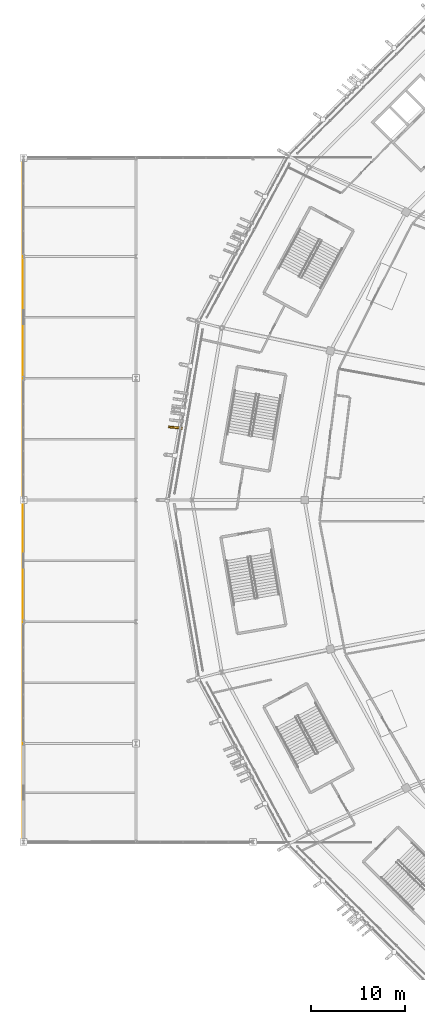
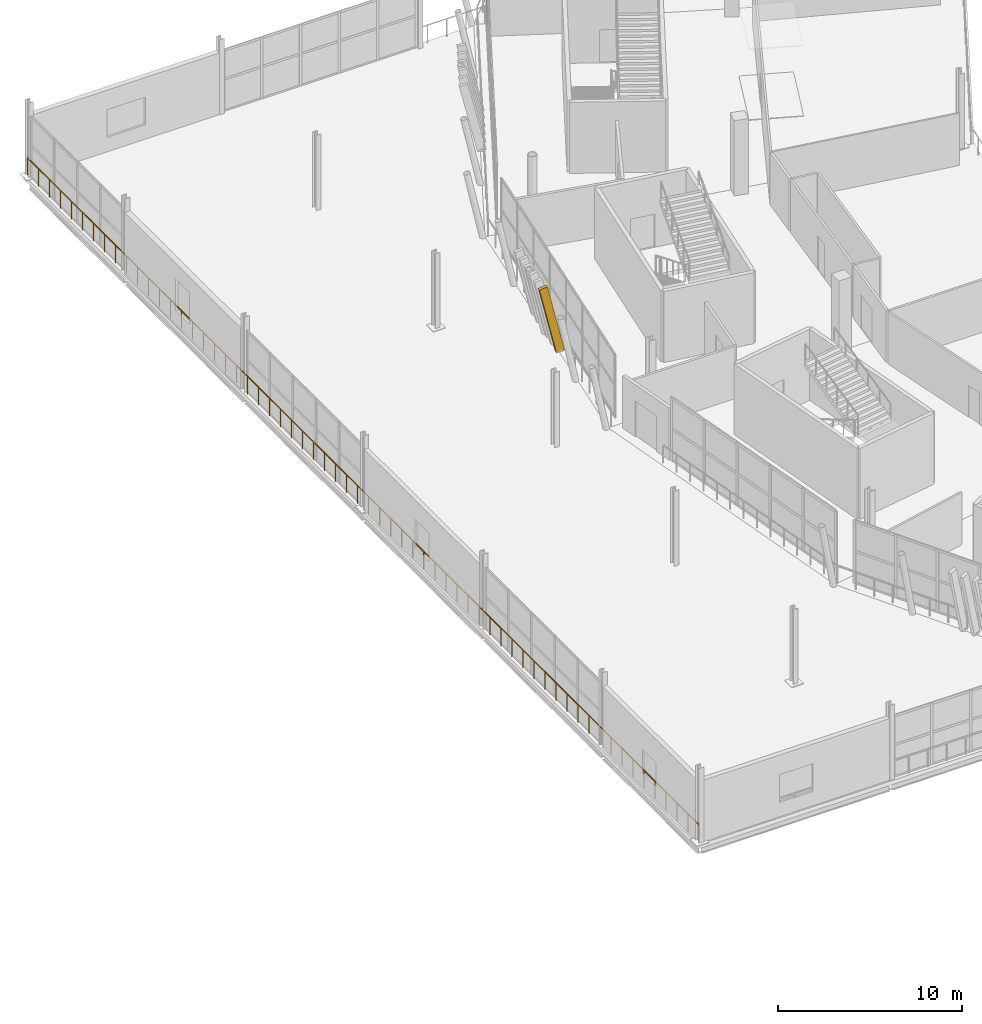
# One storey, part 154 of 179: 1 railing, 1 shading device.
"""IFC4 building model written with IfcOpenShell, lengths in metres."""

from ifc_helpers import new_model, si_unit, direction, frame, origin, origin_2d, place, context, subcontext, project, spatial, rectangle, extrude, material, material_profile, profile_set, type_object, element, save


model = new_model("IFC4")

# Units and contexts
model_context = context("Model", 3, precision=1e-05, world=origin(), true_north=direction((0.0, 1.0)))
body_context = subcontext(model_context, "Body", "Model", "MODEL_VIEW")
ifc_project = project(units=[si_unit("LENGTHUNIT", "METRE"), si_unit("AREAUNIT", "SQUARE_METRE"), si_unit("VOLUMEUNIT", "CUBIC_METRE"), si_unit("PLANEANGLEUNIT", "RADIAN"), si_unit("MASSUNIT", "GRAM", prefix="KILO")], contexts=[model_context])

# Site, building, storey
site_placement = place(None, origin())
site = spatial("IfcSite", under=ifc_project, at=site_placement, CompositionType="ELEMENT")
building_placement = place(site_placement, origin())
building = spatial("IfcBuilding", under=site, at=building_placement, Name="Zlatoyarsky Gate Stadium", CompositionType="ELEMENT")
storey_placement = place(building_placement, frame((0.0, 0.0, 10.60009765625)))
storey = spatial("IfcBuildingStorey", under=building, at=storey_placement, Name="L02", CompositionType="ELEMENT", Elevation=10.60009765625)

# Railing
ifc_material_1 = material(Name="Powder-coated steel tubular guardrail", Category="steel")
railing_type = type_object("IfcRailingType", Name="CONCOURSE SLAB EDGE GUARDRAIL 1200", PredefinedType="GUARDRAIL", material=ifc_material_1)
railing_placement = place(storey_placement, frame((-0.080078125, 43.419921875, 0.0)))
element("IfcRailing", 1, at=railing_placement, inside=storey, type_object=railing_type, Name="V4_WEST L02 W slab edge guardrail", PredefinedType="GUARDRAIL", context=body_context, shape_type="SweptSolid", body=[
    extrude(rectangle(XDim=0.048095703125, YDim=0.048095703125, at=origin_2d()), frame((0.0, 0.0, 1.17578125), z_axis=(0.0, 1.0, 0.0), x_axis=(-1.0, 0.0, 0.0)), (0.0, 0.0, 1.0), 73.16015625),
    extrude(rectangle(XDim=0.0419921875, YDim=0.0419921875, at=origin_2d()), origin(), (0.0, 0.0, 1.0), 1.15185546875),
    extrude(rectangle(XDim=0.0419921875, YDim=0.0419921875, at=origin_2d()), frame((0.0, 1.199462890625, 0.0)), (0.0, 0.0, 1.0), 1.15185546875),
    extrude(rectangle(XDim=0.0419921875, YDim=0.0419921875, at=origin_2d()), frame((0.0, 2.398681640625, 0.0)), (0.0, 0.0, 1.0), 1.15185546875),
    extrude(rectangle(XDim=0.0419921875, YDim=0.0419921875, at=origin_2d()), frame((0.0, 3.59814453125, 0.0)), (0.0, 0.0, 1.0), 1.15185546875),
    extrude(rectangle(XDim=0.0419921875, YDim=0.0419921875, at=origin_2d()), frame((0.0, 4.79736328125, 0.0)), (0.0, 0.0, 1.0), 1.15185546875),
    extrude(rectangle(XDim=0.0419921875, YDim=0.0419921875, at=origin_2d()), frame((0.0, 5.996826171875, 0.0)), (0.0, 0.0, 1.0), 1.15185546875),
    extrude(rectangle(XDim=0.0419921875, YDim=0.0419921875, at=origin_2d()), frame((0.0, 7.196044921875, 0.0)), (0.0, 0.0, 1.0), 1.15185546875),
    extrude(rectangle(XDim=0.0419921875, YDim=0.0419921875, at=origin_2d()), frame((0.0, 8.3955078125, 0.0)), (0.0, 0.0, 1.0), 1.15185546875),
    extrude(rectangle(XDim=0.0419921875, YDim=0.0419921875, at=origin_2d()), frame((0.0, 9.5947265625, 0.0)), (0.0, 0.0, 1.0), 1.15185546875),
    extrude(rectangle(XDim=0.0419921875, YDim=0.0419921875, at=origin_2d()), frame((0.0, 10.794189453125, 0.0)), (0.0, 0.0, 1.0), 1.15185546875),
    extrude(rectangle(XDim=0.0419921875, YDim=0.0419921875, at=origin_2d()), frame((0.0, 11.993408203125, 0.0)), (0.0, 0.0, 1.0), 1.15185546875),
    extrude(rectangle(XDim=0.0419921875, YDim=0.0419921875, at=origin_2d()), frame((0.0, 13.19287109375, 0.0)), (0.0, 0.0, 1.0), 1.15185546875),
    extrude(rectangle(XDim=0.0419921875, YDim=0.0419921875, at=origin_2d()), frame((0.0, 14.39208984375, 0.0)), (0.0, 0.0, 1.0), 1.15185546875),
    extrude(rectangle(XDim=0.0419921875, YDim=0.0419921875, at=origin_2d()), frame((0.0, 15.591552734375, 0.0)), (0.0, 0.0, 1.0), 1.15185546875),
    extrude(rectangle(XDim=0.0419921875, YDim=0.0419921875, at=origin_2d()), frame((0.0, 16.790771484375, 0.0)), (0.0, 0.0, 1.0), 1.15185546875),
    extrude(rectangle(XDim=0.0419921875, YDim=0.0419921875, at=origin_2d()), frame((0.0, 17.990234375, 0.0)), (0.0, 0.0, 1.0), 1.15185546875),
    extrude(rectangle(XDim=0.0419921875, YDim=0.0419921875, at=origin_2d()), frame((0.0, 19.189453125, 0.0)), (0.0, 0.0, 1.0), 1.15185546875),
    extrude(rectangle(XDim=0.0419921875, YDim=0.0419921875, at=origin_2d()), frame((0.0, 20.388916015625, 0.0)), (0.0, 0.0, 1.0), 1.15185546875),
    extrude(rectangle(XDim=0.0419921875, YDim=0.0419921875, at=origin_2d()), frame((0.0, 21.588134765625, 0.0)), (0.0, 0.0, 1.0), 1.15185546875),
    extrude(rectangle(XDim=0.0419921875, YDim=0.0419921875, at=origin_2d()), frame((0.0, 22.78759765625, 0.0)), (0.0, 0.0, 1.0), 1.15185546875),
    extrude(rectangle(XDim=0.0419921875, YDim=0.0419921875, at=origin_2d()), frame((0.0, 23.98681640625, 0.0)), (0.0, 0.0, 1.0), 1.15185546875),
    extrude(rectangle(XDim=0.0419921875, YDim=0.0419921875, at=origin_2d()), frame((0.0, 25.186279296875, 0.0)), (0.0, 0.0, 1.0), 1.15185546875),
    extrude(rectangle(XDim=0.0419921875, YDim=0.0419921875, at=origin_2d()), frame((0.0, 26.3857421875, 0.0)), (0.0, 0.0, 1.0), 1.15185546875),
    extrude(rectangle(XDim=0.0419921875, YDim=0.0419921875, at=origin_2d()), frame((0.0, 27.5849609375, 0.0)), (0.0, 0.0, 1.0), 1.15185546875),
    extrude(rectangle(XDim=0.0419921875, YDim=0.0419921875, at=origin_2d()), frame((0.0, 28.784423828125, 0.0)), (0.0, 0.0, 1.0), 1.15185546875),
    extrude(rectangle(XDim=0.0419921875, YDim=0.0419921875, at=origin_2d()), frame((0.0, 29.983642578125, 0.0)), (0.0, 0.0, 1.0), 1.15185546875),
    extrude(rectangle(XDim=0.0419921875, YDim=0.0419921875, at=origin_2d()), frame((0.0, 31.18310546875, 0.0)), (0.0, 0.0, 1.0), 1.15185546875),
    extrude(rectangle(XDim=0.0419921875, YDim=0.0419921875, at=origin_2d()), frame((0.0, 32.38232421875, 0.0)), (0.0, 0.0, 1.0), 1.15185546875),
    extrude(rectangle(XDim=0.0419921875, YDim=0.0419921875, at=origin_2d()), frame((0.0, 33.581787109375, 0.0)), (0.0, 0.0, 1.0), 1.15185546875),
    extrude(rectangle(XDim=0.0419921875, YDim=0.0419921875, at=origin_2d()), frame((0.0, 34.781005859375, 0.0)), (0.0, 0.0, 1.0), 1.15185546875),
    extrude(rectangle(XDim=0.0419921875, YDim=0.0419921875, at=origin_2d()), frame((0.0, 35.98046875, 0.0)), (0.0, 0.0, 1.0), 1.15185546875),
    extrude(rectangle(XDim=0.0419921875, YDim=0.0419921875, at=origin_2d()), frame((0.0, 37.1796875, 0.0)), (0.0, 0.0, 1.0), 1.15185546875),
    extrude(rectangle(XDim=0.0419921875, YDim=0.0419921875, at=origin_2d()), frame((0.0, 38.379150390625, 0.0)), (0.0, 0.0, 1.0), 1.15185546875),
    extrude(rectangle(XDim=0.0419921875, YDim=0.0419921875, at=origin_2d()), frame((0.0, 39.578369140625, 0.0)), (0.0, 0.0, 1.0), 1.15185546875),
    extrude(rectangle(XDim=0.0419921875, YDim=0.0419921875, at=origin_2d()), frame((0.0, 40.77783203125, 0.0)), (0.0, 0.0, 1.0), 1.15185546875),
    extrude(rectangle(XDim=0.0419921875, YDim=0.0419921875, at=origin_2d()), frame((0.0, 41.97705078125, 0.0)), (0.0, 0.0, 1.0), 1.15185546875),
    extrude(rectangle(XDim=0.0419921875, YDim=0.0419921875, at=origin_2d()), frame((0.0, 43.176513671875, 0.0)), (0.0, 0.0, 1.0), 1.15185546875),
    extrude(rectangle(XDim=0.0419921875, YDim=0.0419921875, at=origin_2d()), frame((0.0, 44.375732421875, 0.0)), (0.0, 0.0, 1.0), 1.15185546875),
    extrude(rectangle(XDim=0.0419921875, YDim=0.0419921875, at=origin_2d()), frame((0.0, 45.5751953125, 0.0)), (0.0, 0.0, 1.0), 1.15185546875),
    extrude(rectangle(XDim=0.0419921875, YDim=0.0419921875, at=origin_2d()), frame((0.0, 46.7744140625, 0.0)), (0.0, 0.0, 1.0), 1.15185546875),
    extrude(rectangle(XDim=0.0419921875, YDim=0.0419921875, at=origin_2d()), frame((0.0, 47.973876953125, 0.0)), (0.0, 0.0, 1.0), 1.15185546875),
    extrude(rectangle(XDim=0.0419921875, YDim=0.0419921875, at=origin_2d()), frame((0.0, 49.17333984375, 0.0)), (0.0, 0.0, 1.0), 1.15185546875),
    extrude(rectangle(XDim=0.0419921875, YDim=0.0419921875, at=origin_2d()), frame((0.0, 50.37255859375, 0.0)), (0.0, 0.0, 1.0), 1.15185546875),
    extrude(rectangle(XDim=0.0419921875, YDim=0.0419921875, at=origin_2d()), frame((0.0, 51.572021484375, 0.0)), (0.0, 0.0, 1.0), 1.15185546875),
    extrude(rectangle(XDim=0.0419921875, YDim=0.0419921875, at=origin_2d()), frame((0.0, 52.771240234375, 0.0)), (0.0, 0.0, 1.0), 1.15185546875),
    extrude(rectangle(XDim=0.0419921875, YDim=0.0419921875, at=origin_2d()), frame((0.0, 53.970703125, 0.0)), (0.0, 0.0, 1.0), 1.15185546875),
    extrude(rectangle(XDim=0.0419921875, YDim=0.0419921875, at=origin_2d()), frame((0.0, 55.169921875, 0.0)), (0.0, 0.0, 1.0), 1.15185546875),
    extrude(rectangle(XDim=0.0419921875, YDim=0.0419921875, at=origin_2d()), frame((0.0, 56.369384765625, 0.0)), (0.0, 0.0, 1.0), 1.15185546875),
    extrude(rectangle(XDim=0.0419921875, YDim=0.0419921875, at=origin_2d()), frame((0.0, 57.568603515625, 0.0)), (0.0, 0.0, 1.0), 1.15185546875),
    extrude(rectangle(XDim=0.0419921875, YDim=0.0419921875, at=origin_2d()), frame((0.0, 58.76806640625, 0.0)), (0.0, 0.0, 1.0), 1.15185546875),
    extrude(rectangle(XDim=0.0419921875, YDim=0.0419921875, at=origin_2d()), frame((0.0, 59.96728515625, 0.0)), (0.0, 0.0, 1.0), 1.15185546875),
    extrude(rectangle(XDim=0.0419921875, YDim=0.0419921875, at=origin_2d()), frame((0.0, 61.166748046875, 0.0)), (0.0, 0.0, 1.0), 1.15185546875),
    extrude(rectangle(XDim=0.0419921875, YDim=0.0419921875, at=origin_2d()), frame((0.0, 62.365966796875, 0.0)), (0.0, 0.0, 1.0), 1.15185546875),
    extrude(rectangle(XDim=0.0419921875, YDim=0.0419921875, at=origin_2d()), frame((0.0, 63.5654296875, 0.0)), (0.0, 0.0, 1.0), 1.15185546875),
    extrude(rectangle(XDim=0.0419921875, YDim=0.0419921875, at=origin_2d()), frame((0.0, 64.7646484375, 0.0)), (0.0, 0.0, 1.0), 1.15185546875),
    extrude(rectangle(XDim=0.0419921875, YDim=0.0419921875, at=origin_2d()), frame((0.0, 65.964111328125, 0.0)), (0.0, 0.0, 1.0), 1.15185546875),
    extrude(rectangle(XDim=0.0419921875, YDim=0.0419921875, at=origin_2d()), frame((0.0, 67.163330078125, 0.0)), (0.0, 0.0, 1.0), 1.15185546875),
    extrude(rectangle(XDim=0.0419921875, YDim=0.0419921875, at=origin_2d()), frame((0.0, 68.36279296875, 0.0)), (0.0, 0.0, 1.0), 1.15185546875),
    extrude(rectangle(XDim=0.0419921875, YDim=0.0419921875, at=origin_2d()), frame((0.0, 69.56201171875, 0.0)), (0.0, 0.0, 1.0), 1.15185546875),
    extrude(rectangle(XDim=0.0419921875, YDim=0.0419921875, at=origin_2d()), frame((0.0, 70.761474609375, 0.0)), (0.0, 0.0, 1.0), 1.15185546875),
    extrude(rectangle(XDim=0.0419921875, YDim=0.0419921875, at=origin_2d()), frame((0.0, 71.960693359375, 0.0)), (0.0, 0.0, 1.0), 1.15185546875),
    extrude(rectangle(XDim=0.0419921875, YDim=0.0419921875, at=origin_2d()), frame((0.0, 73.16015625, 0.0)), (0.0, 0.0, 1.0), 1.15185546875),
])

# Shading device
ifc_material_2 = material(Name="Precast concrete C40/50 stone-toned architectural rib", Category="masonry")
ifc_material_profile = material_profile(ifc_material_2, rectangle(XDim=0.199951171875, YDim=0.47998046875, at=origin_2d()), Name="RIB 200X480")
ifc_profile_set = profile_set([ifc_material_profile], Name="Precast concrete C40/50 stone-toned architectural rib")
shading_device_type = type_object("IfcShadingDeviceType", Name="PRECAST FLUTED GATE LOUVRE BLADE 200X480", PredefinedType="SHUTTER", material=ifc_profile_set)
shading_device_placement = place(storey_placement, frame((16.716796875, 87.67578125, -0.010009765625), z_axis=(-0.220324885015, 0.023329142432, 0.97514752533), x_axis=(-0.105296560496, -0.994440865184, 0.0)))
element("IfcShadingDevice", 2, at=shading_device_placement, inside=storey, type_object=shading_device_type, Name="Leaning bowl louvre fin L02-11-6", PredefinedType="SHUTTER", context=body_context, shape_type="SweptSolid", body=[
    extrude(rectangle(XDim=0.199951171875, YDim=0.47998046875, at=origin_2d()), origin(), (0.0, 0.0, 1.0), 4.59423828125),
])

save(model, "model.ifc")
